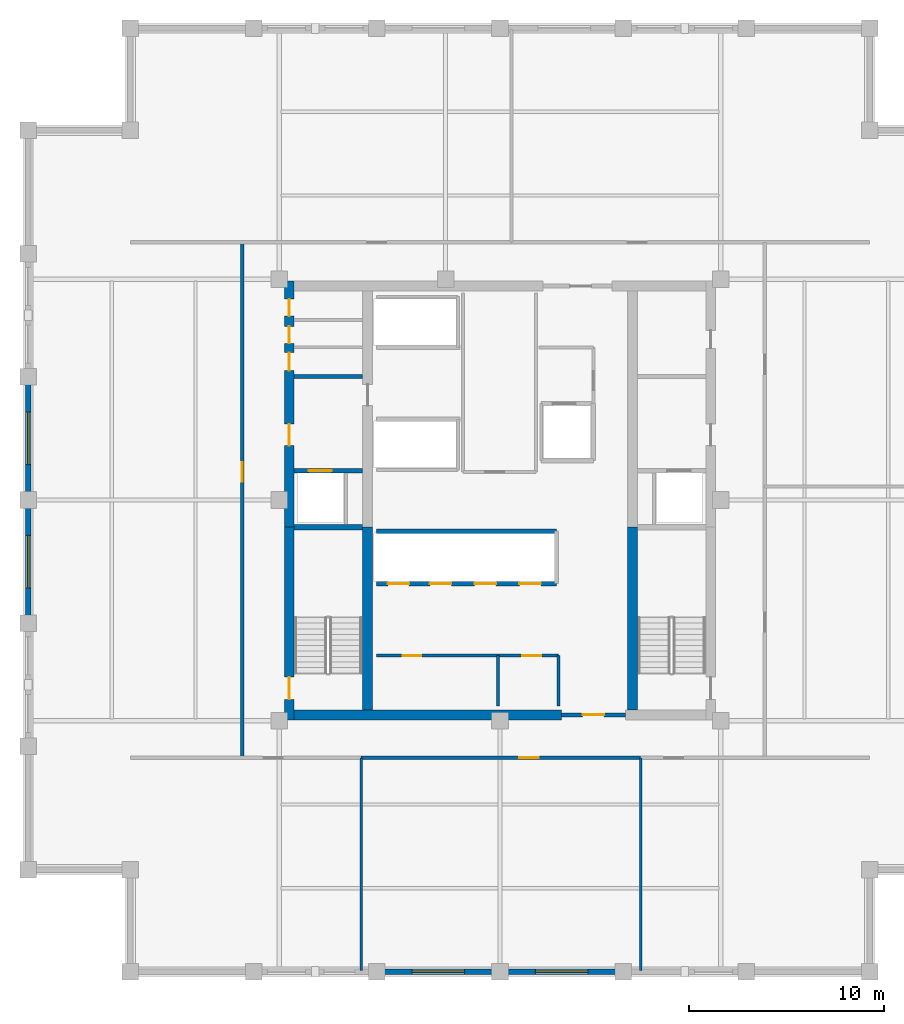
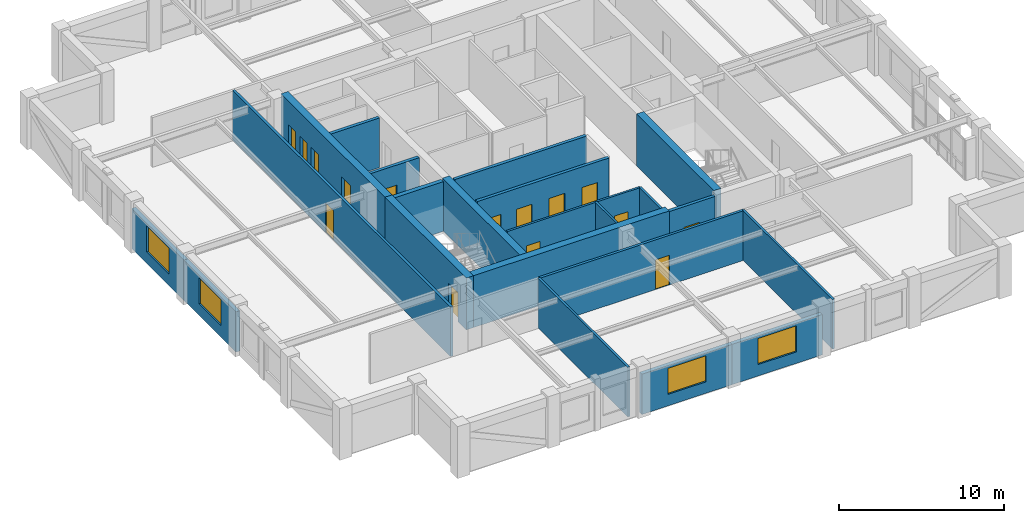
# One storey, part 4 of 8: 22 walls, 15 doors, 4 windows, 19 openings.
"""IFC4 building model written with IfcOpenShell, lengths in metres."""

from ifc_helpers import new_model, si_unit, direction, frame, frame_2d, origin, place, context, subcontext, project, spatial, rectangle, extrude, material, layer, layer_set, type_object, element, fill, save


model = new_model("IFC4")

# Units and contexts
model_context = context("Model", 3, precision=1e-05, world=origin(), true_north=direction((0.0, 1.0)))
body_context = subcontext(model_context, "Body", "Model", "MODEL_VIEW")
ifc_project = project(units=[si_unit("LENGTHUNIT", "METRE"), si_unit("AREAUNIT", "SQUARE_METRE"), si_unit("VOLUMEUNIT", "CUBIC_METRE"), si_unit("PLANEANGLEUNIT", "RADIAN"), si_unit("MASSUNIT", "GRAM", prefix="KILO")], contexts=[model_context])

# Site, building, storey
site_placement = place(None, origin())
site = spatial("IfcSite", under=ifc_project, at=site_placement, CompositionType="ELEMENT")
building_placement = place(site_placement, origin())
building = spatial("IfcBuilding", under=site, at=building_placement, Name="Nhamokura Convention Tower", CompositionType="ELEMENT")
storey_placement = place(building_placement, frame((0.0, 0.0, 240.800048828125)))
storey = spatial("IfcBuildingStorey", under=building, at=storey_placement, Name="L59", CompositionType="ELEMENT", Elevation=240.800048828125)

# Wall, opening, window
ifc_material_1 = material(Name="Bronze-pigmented precast concrete C45/55", Category="concrete")
ifc_layer_1 = layer(ifc_material_1, 0.280029296875)
ifc_layer_set_1 = layer_set([ifc_layer_1], Name="BronzePrecastSpandrel_280")
wall_type_1 = type_object("IfcWallType", Name="BronzePrecastSpandrel_280", PredefinedType="USERDEFINED", material=ifc_layer_set_1)
wall_1_placement = place(storey_placement, frame((32.0, 7.75, 0.0), z_axis=(0.0, 0.0, 1.0), x_axis=(-1.0, 0.0, 0.0)))
wall_1 = element("IfcWall", 1, at=wall_1_placement, inside=storey, type_object=wall_type_1, Name="L59 Masonry-Frame Wall SOUTH 2", ObjectType="SPANDREL_WALL", PredefinedType="USERDEFINED", context=body_context, shape_type="SweptSolid", body=[
    extrude(rectangle(XDim=6.333251953125, YDim=0.280029296875, at=frame_2d((3.16650390625, 0.0))), origin(), (0.0, 0.0, 1.0), 2.98486328125),
])
opening_1_placement = place(wall_1_placement, frame((1.816650390625, 0.0, 0.85009765625)))
opening_1 = element("IfcOpeningElement", 2, at=opening_1_placement, cuts=wall_1, Name="Opening W-07", PredefinedType="OPENING", context=body_context, shape_type="SweptSolid", body=[
    extrude(rectangle(XDim=2.699951171875, YDim=1.93505859375, at=frame_2d((1.35009765625, 0.967529296875))), frame((0.0, 0.14990234375, 0.0), z_axis=(0.0, -1.0, 0.0), x_axis=(1.0, 0.0, 0.0)), (0.0, 0.0, 1.0), 0.300048828125),
])
ifc_material_2 = material(Name="Solar-control bronze low-E double glass", Category="glass")
window_type = type_object("IfcWindowType", Name="OfficeModuleWindow_Z3_2700", PartitioningType="DOUBLE_PANEL_VERTICAL", PredefinedType="WINDOW", material=ifc_material_2)
window_1_placement = place(opening_1_placement, origin())
window_1 = element("IfcWindow", 3, at=window_1_placement, inside=storey, type_object=window_type, Name="L59 Facade Window SOUTH 2", OverallHeight=1.93505859375, OverallWidth=2.699951171875, PartitioningType="SINGLE_PANEL", PredefinedType="WINDOW", context=body_context, shape_type="SweptSolid", body=[
    extrude(rectangle(XDim=2.699951171875, YDim=1.93505859375, at=frame_2d((1.35009765625, 0.967529296875))), frame((0.0, 0.030029296875, 0.0), z_axis=(0.0, -1.0, 0.0), x_axis=(1.0, 0.0, 0.0)), (0.0, 0.0, 1.0), 0.06005859375),
])
fill(opening_1, window_1)

wall_2_placement = place(storey_placement, frame((38.333251953125, 7.75, 0.0), z_axis=(0.0, 0.0, 1.0), x_axis=(-1.0, 0.0, 0.0)))
wall_2 = element("IfcWall", 4, at=wall_2_placement, inside=storey, type_object=wall_type_1, Name="L59 Masonry-Frame Wall SOUTH 3", ObjectType="SPANDREL_WALL", PredefinedType="USERDEFINED", context=body_context, shape_type="SweptSolid", body=[
    extrude(rectangle(XDim=6.333251953125, YDim=0.280029296875, at=frame_2d((3.16650390625, 0.0))), origin(), (0.0, 0.0, 1.0), 2.98486328125),
])
opening_2_placement = place(wall_2_placement, frame((1.816650390625, 0.0, 0.85009765625)))
opening_2 = element("IfcOpeningElement", 5, at=opening_2_placement, cuts=wall_2, Name="Opening W-07", PredefinedType="OPENING", context=body_context, shape_type="SweptSolid", body=[
    extrude(rectangle(XDim=2.699951171875, YDim=1.93505859375, at=frame_2d((1.35009765625, 0.967529296875))), frame((0.0, 0.14990234375, 0.0), z_axis=(0.0, -1.0, 0.0), x_axis=(1.0, 0.0, 0.0)), (0.0, 0.0, 1.0), 0.300048828125),
])
window_2_placement = place(opening_2_placement, origin())
window_2 = element("IfcWindow", 6, at=window_2_placement, inside=storey, type_object=window_type, Name="L59 Facade Window SOUTH 3", OverallHeight=1.93505859375, OverallWidth=2.699951171875, PartitioningType="SINGLE_PANEL", PredefinedType="WINDOW", context=body_context, shape_type="SweptSolid", body=[
    extrude(rectangle(XDim=2.699951171875, YDim=1.93505859375, at=frame_2d((1.35009765625, 0.967529296875))), frame((0.0, 0.030029296875, 0.0), z_axis=(0.0, -1.0, 0.0), x_axis=(1.0, 0.0, 0.0)), (0.0, 0.0, 1.0), 0.06005859375),
])
fill(opening_2, window_2)

wall_3_placement = place(storey_placement, frame((7.75, 25.666748046875, 0.0), z_axis=(0.0, 0.0, 1.0), x_axis=(0.0, 1.0, 0.0)))
wall_3 = element("IfcWall", 7, at=wall_3_placement, inside=storey, type_object=wall_type_1, Name="L59 Masonry-Frame Wall WEST 2", ObjectType="SPANDREL_WALL", PredefinedType="USERDEFINED", context=body_context, shape_type="SweptSolid", body=[
    extrude(rectangle(XDim=6.333251953125, YDim=0.280029296875, at=frame_2d((3.16650390625, 0.0))), origin(), (0.0, 0.0, 1.0), 2.98486328125),
])
opening_3_placement = place(wall_3_placement, frame((1.816650390625, 0.0, 0.85009765625)))
opening_3 = element("IfcOpeningElement", 8, at=opening_3_placement, cuts=wall_3, Name="Opening W-07", PredefinedType="OPENING", context=body_context, shape_type="SweptSolid", body=[
    extrude(rectangle(XDim=2.699951171875, YDim=1.93505859375, at=frame_2d((1.35009765625, 0.967529296875))), frame((0.0, 0.14990234375, 0.0), z_axis=(0.0, -1.0, 0.0), x_axis=(1.0, 0.0, 0.0)), (0.0, 0.0, 1.0), 0.300048828125),
])
window_3_placement = place(opening_3_placement, origin())
window_3 = element("IfcWindow", 9, at=window_3_placement, inside=storey, type_object=window_type, Name="L59 Facade Window WEST 2", OverallHeight=1.93505859375, OverallWidth=2.699951171875, PartitioningType="SINGLE_PANEL", PredefinedType="WINDOW", context=body_context, shape_type="SweptSolid", body=[
    extrude(rectangle(XDim=2.699951171875, YDim=1.93505859375, at=frame_2d((1.35009765625, 0.967529296875))), frame((0.0, 0.030029296875, 0.0), z_axis=(0.0, -1.0, 0.0), x_axis=(1.0, 0.0, 0.0)), (0.0, 0.0, 1.0), 0.06005859375),
])
fill(opening_3, window_3)

wall_4_placement = place(storey_placement, frame((7.75, 32.0, 0.0), z_axis=(0.0, 0.0, 1.0), x_axis=(0.0, 1.0, 0.0)))
wall_4 = element("IfcWall", 10, at=wall_4_placement, inside=storey, type_object=wall_type_1, Name="L59 Masonry-Frame Wall WEST 3", ObjectType="SPANDREL_WALL", PredefinedType="USERDEFINED", context=body_context, shape_type="SweptSolid", body=[
    extrude(rectangle(XDim=6.333251953125, YDim=0.280029296875, at=frame_2d((3.16650390625, 0.0))), origin(), (0.0, 0.0, 1.0), 2.98486328125),
])
opening_4_placement = place(wall_4_placement, frame((1.816650390625, 0.0, 0.85009765625)))
opening_4 = element("IfcOpeningElement", 11, at=opening_4_placement, cuts=wall_4, Name="Opening W-07", PredefinedType="OPENING", context=body_context, shape_type="SweptSolid", body=[
    extrude(rectangle(XDim=2.699951171875, YDim=1.93505859375, at=frame_2d((1.35009765625, 0.967529296875))), frame((0.0, 0.14990234375, 0.0), z_axis=(0.0, -1.0, 0.0), x_axis=(1.0, 0.0, 0.0)), (0.0, 0.0, 1.0), 0.300048828125),
])
window_4_placement = place(opening_4_placement, origin())
window_4 = element("IfcWindow", 12, at=window_4_placement, inside=storey, type_object=window_type, Name="L59 Facade Window WEST 3", OverallHeight=1.93505859375, OverallWidth=2.699951171875, PartitioningType="SINGLE_PANEL", PredefinedType="WINDOW", context=body_context, shape_type="SweptSolid", body=[
    extrude(rectangle(XDim=2.699951171875, YDim=1.93505859375, at=frame_2d((1.35009765625, 0.967529296875))), frame((0.0, 0.030029296875, 0.0), z_axis=(0.0, -1.0, 0.0), x_axis=(1.0, 0.0, 0.0)), (0.0, 0.0, 1.0), 0.06005859375),
])
fill(opening_4, window_4)

# Wall, opening, door
ifc_material_3 = material(Name="Concrete C60/75", Category="concrete")
ifc_layer_2 = layer(ifc_material_3, 0.5)
ifc_layer_set_2 = layer_set([ifc_layer_2], Name="CoreShearWall_500")
wall_type_2 = type_object("IfcWallType", Name="CoreShearWall_500", PredefinedType="SHEAR", material=ifc_layer_set_2)
wall_5_placement = place(storey_placement, frame((21.159912109375, 20.699951171875, 0.0), z_axis=(0.0, 0.0, 1.0), x_axis=(0.0, 1.0, 0.0)))
wall_5 = element("IfcWall", 13, at=wall_5_placement, inside=storey, type_object=wall_type_2, Name="L59 Core Shear Wall CW-WS", PredefinedType="SHEAR", context=body_context, shape_type="SweptSolid", body=[
    extrude(rectangle(XDim=9.900146484375, YDim=0.5, at=frame_2d((4.9501953125, 0.0))), origin(), (0.0, 0.0, 1.0), 3.849853515625),
])
opening_5_placement = place(wall_5_placement, frame((1.050048828125, 0.0, 0.0)))
opening_5 = element("IfcOpeningElement", 14, at=opening_5_placement, cuts=wall_5, Name="Opening D-04", PredefinedType="OPENING", context=body_context, shape_type="SweptSolid", body=[
    extrude(rectangle(XDim=1.14990234375, YDim=2.14990234375, at=frame_2d((0.574951171875, 1.074951171875))), frame((0.0, 0.260009765625, 0.0), z_axis=(0.0, -1.0, 0.0), x_axis=(1.0, 0.0, 0.0)), (0.0, 0.0, 1.0), 0.52001953125),
])
ifc_material_4 = material(Name="Fire-rated steel door", Category="steel")
door_type_1 = type_object("IfcDoorType", Name="StairSmokeDoor_1150", OperationType="NOTDEFINED", PredefinedType="DOOR", material=ifc_material_4)
door_1_placement = place(opening_5_placement, origin())
door_1 = element("IfcDoor", 15, at=door_1_placement, inside=storey, type_object=door_type_1, Name="L59 Core Door INT-L59-D-ST01", OperationType="SINGLE_SWING_LEFT", OverallHeight=2.14990234375, OverallWidth=1.14990234375, PredefinedType="DOOR", context=body_context, shape_type="SweptSolid", body=[
    extrude(rectangle(XDim=1.14990234375, YDim=2.14990234375, at=frame_2d((0.574951171875, 1.074951171875))), frame((0.0, 0.02490234375, 0.0), z_axis=(0.0, -1.0, 0.0), x_axis=(1.0, 0.0, 0.0)), (0.0, 0.0, 1.0), 0.050048828125),
])
fill(opening_5, door_1)

# Wall, openings, doors
wall_6_placement = place(storey_placement, frame((21.159912109375, 30.60009765625, 0.0), z_axis=(0.0, 0.0, 1.0), x_axis=(0.0, 1.0, 0.0)))
wall_6 = element("IfcWall", 16, at=wall_6_placement, inside=storey, type_object=wall_type_2, Name="L59 Core Shear Wall CW-WN", PredefinedType="SHEAR", context=body_context, shape_type="SweptSolid", body=[
    extrude(rectangle(XDim=12.64990234375, YDim=0.5, at=frame_2d((6.324951171875, 0.0))), origin(), (0.0, 0.0, 1.0), 3.849853515625),
])
opening_6_placement = place(wall_6_placement, frame((4.199951171875, 0.0, 0.0)))
opening_6 = element("IfcOpeningElement", 17, at=opening_6_placement, cuts=wall_6, Name="Opening D-05", PredefinedType="OPENING", context=body_context, shape_type="SweptSolid", body=[
    extrude(rectangle(XDim=1.10009765625, YDim=2.14990234375, at=frame_2d((0.550048828125, 1.074951171875))), frame((0.0, 0.260009765625, 0.0), z_axis=(0.0, -1.0, 0.0), x_axis=(1.0, 0.0, 0.0)), (0.0, 0.0, 1.0), 0.52001953125),
])
opening_7_placement = place(wall_6_placement, frame((8.050048828125, 0.0, 0.0)))
opening_7 = element("IfcOpeningElement", 18, at=opening_7_placement, cuts=wall_6, Name="Opening D-10", PredefinedType="OPENING", context=body_context, shape_type="SweptSolid", body=[
    extrude(rectangle(XDim=0.919921875, YDim=2.10009765625, at=frame_2d((0.4599609375, 1.050048828125))), frame((0.0, 0.260009765625, 0.0), z_axis=(0.0, -1.0, 0.0), x_axis=(1.0, 0.0, 0.0)), (0.0, 0.0, 1.0), 0.52001953125),
])
opening_8_placement = place(wall_6_placement, frame((9.449951171875, 0.0, 0.0)))
opening_8 = element("IfcOpeningElement", 19, at=opening_8_placement, cuts=wall_6, Name="Opening D-11", PredefinedType="OPENING", context=body_context, shape_type="SweptSolid", body=[
    extrude(rectangle(XDim=0.8798828125, YDim=2.10009765625, at=frame_2d((0.43994140625, 1.050048828125))), frame((0.0, 0.260009765625, 0.0), z_axis=(0.0, -1.0, 0.0), x_axis=(1.0, 0.0, 0.0)), (0.0, 0.0, 1.0), 0.52001953125),
])
opening_9_placement = place(wall_6_placement, frame((10.85009765625, 0.0, 0.0)))
opening_9 = element("IfcOpeningElement", 20, at=opening_9_placement, cuts=wall_6, Name="Opening D-11", PredefinedType="OPENING", context=body_context, shape_type="SweptSolid", body=[
    extrude(rectangle(XDim=0.8798828125, YDim=2.10009765625, at=frame_2d((0.43994140625, 1.050048828125))), frame((0.0, 0.260009765625, 0.0), z_axis=(0.0, -1.0, 0.0), x_axis=(1.0, 0.0, 0.0)), (0.0, 0.0, 1.0), 0.52001953125),
])
ifc_material_5 = material(Name="Solid oak hardwood", Category="wood")
door_type_2 = type_object("IfcDoorType", Name="AccessibleWCDoor_920", OperationType="NOTDEFINED", PredefinedType="DOOR", material=ifc_material_5)
door_2_placement = place(opening_7_placement, origin())
door_2 = element("IfcDoor", 21, at=door_2_placement, inside=storey, type_object=door_type_2, Name="L59 Core Door INT-L59-D-AWC", OperationType="SINGLE_SWING_LEFT", OverallHeight=2.10009765625, OverallWidth=0.919921875, PredefinedType="DOOR", context=body_context, shape_type="SweptSolid", body=[
    extrude(rectangle(XDim=0.919921875, YDim=2.10009765625, at=frame_2d((0.4599609375, 1.050048828125))), frame((0.0, 0.02490234375, 0.0), z_axis=(0.0, -1.0, 0.0), x_axis=(1.0, 0.0, 0.0)), (0.0, 0.0, 1.0), 0.050048828125),
])
fill(opening_7, door_2)
ifc_material_6 = material(Name="Solid oak hardwood", Category="wood")
door_type_3 = type_object("IfcDoorType", Name="BathroomDoor_880", OperationType="NOTDEFINED", PredefinedType="DOOR", material=ifc_material_6)
door_3_placement = place(opening_8_placement, origin())
door_3 = element("IfcDoor", 22, at=door_3_placement, inside=storey, type_object=door_type_3, Name="L59 Core Door INT-L59-D-CLN", OperationType="SINGLE_SWING_RIGHT", OverallHeight=2.10009765625, OverallWidth=0.8798828125, PredefinedType="DOOR", context=body_context, shape_type="SweptSolid", body=[
    extrude(rectangle(XDim=0.8798828125, YDim=2.10009765625, at=frame_2d((0.43994140625, 1.050048828125))), frame((0.0, 0.02490234375, 0.0), z_axis=(0.0, -1.0, 0.0), x_axis=(1.0, 0.0, 0.0)), (0.0, 0.0, 1.0), 0.050048828125),
])
fill(opening_8, door_3)
door_4_placement = place(opening_9_placement, origin())
door_4 = element("IfcDoor", 23, at=door_4_placement, inside=storey, type_object=door_type_3, Name="L59 Core Door INT-L59-D-PNT", OperationType="SINGLE_SWING_LEFT", OverallHeight=2.10009765625, OverallWidth=0.8798828125, PredefinedType="DOOR", context=body_context, shape_type="SweptSolid", body=[
    extrude(rectangle(XDim=0.8798828125, YDim=2.10009765625, at=frame_2d((0.43994140625, 1.050048828125))), frame((0.0, 0.02490234375, 0.0), z_axis=(0.0, -1.0, 0.0), x_axis=(1.0, 0.0, 0.0)), (0.0, 0.0, 1.0), 0.050048828125),
])
fill(opening_9, door_4)
ifc_material_7 = material(Name="Fire-rated steel door", Category="steel")
door_type_4 = type_object("IfcDoorType", Name="FireLobbyDoor_1100", OperationType="NOTDEFINED", PredefinedType="DOOR", material=ifc_material_7)
door_5_placement = place(opening_6_placement, origin())
door_5 = element("IfcDoor", 24, at=door_5_placement, inside=storey, type_object=door_type_4, Name="L59 Core Door INT-L59-D-FFLW", OperationType="SINGLE_SWING_RIGHT", OverallHeight=2.14990234375, OverallWidth=1.10009765625, PredefinedType="DOOR", context=body_context, shape_type="SweptSolid", body=[
    extrude(rectangle(XDim=1.10009765625, YDim=2.14990234375, at=frame_2d((0.550048828125, 1.074951171875))), frame((0.0, 0.02490234375, 0.0), z_axis=(0.0, -1.0, 0.0), x_axis=(1.0, 0.0, 0.0)), (0.0, 0.0, 1.0), 0.050048828125),
])
fill(opening_6, door_5)

# Walls
wall_7_placement = place(storey_placement, frame((21.409912109375, 20.949951171875, 0.0), z_axis=(0.0, 0.0, 1.0), x_axis=(1.0, 0.0, 0.0)))
element("IfcWall", 25, at=wall_7_placement, inside=storey, type_object=wall_type_2, Name="L59 Core Shear Wall CW-S1", PredefinedType="SHEAR", context=body_context, shape_type="SweptSolid", body=[
    extrude(rectangle(XDim=13.739990234375, YDim=0.5, at=frame_2d((6.8701171875, 0.0))), origin(), (0.0, 0.0, 1.0), 3.849853515625),
])
for number, where, z_axis, x_axis, name in (
    (26, (25.18994140625, 21.199951171875, 0.0), (0.0, 0.0, 1.0), (0.0, 1.0, 0.0), "L59 Core Shear Wall CW-IWS"),
    (27, (38.81005859375, 21.199951171875, 0.0), (0.0, 0.0, 1.0), (0.0, 1.0, 0.0), "L59 Core Shear Wall CW-IES"),
):
    element("IfcWall", number, at=place(storey_placement, frame(where, z_axis=z_axis, x_axis=x_axis)), inside=storey, type_object=wall_type_2, Name=name, PredefinedType="SHEAR", context=body_context, shape_type="SweptSolid", body=[
        extrude(rectangle(XDim=9.400146484375, YDim=0.5, at=frame_2d((4.7001953125, 0.0))), origin(), (0.0, 0.0, 1.0), 3.849853515625),
    ])

# Wall, opening, door
ifc_material_8 = material(Name="Fire-rated gypsum and masonry partition", Category="masonry")
ifc_layer_3 = layer(ifc_material_8, 0.179931640625)
ifc_layer_set_3 = layer_set([ifc_layer_3], Name="CorridorRatedWall_180")
wall_type_3 = type_object("IfcWallType", Name="CorridorRatedWall_180", PredefinedType="STANDARD", material=ifc_layer_set_3)
wall_8_placement = place(storey_placement, frame((24.86669921875, 18.75, 0.0), z_axis=(0.0, 0.0, 1.0), x_axis=(1.0, 0.0, 0.0)))
wall_8 = element("IfcWall", 28, at=wall_8_placement, inside=storey, type_object=wall_type_3, Name="L59 Wall INT-L59-CW-S01", PredefinedType="STANDARD", context=body_context, shape_type="SweptSolid", body=[
    extrude(rectangle(XDim=14.36669921875, YDim=0.179931640625, at=frame_2d((7.183349609375, 0.0))), origin(), (0.0, 0.0, 1.0), 3.68505859375),
])
opening_10_placement = place(wall_8_placement, frame((8.13330078125, 0.0, 0.0)))
opening_10 = element("IfcOpeningElement", 29, at=opening_10_placement, cuts=wall_8, Name="Opening D-08", PredefinedType="OPENING", context=body_context, shape_type="SweptSolid", body=[
    extrude(rectangle(XDim=0.97998046875, YDim=2.199951171875, at=frame_2d((0.489990234375, 1.10009765625))), frame((0.0, 0.099853515625, 0.0), z_axis=(0.0, -1.0, 0.0), x_axis=(1.0, 0.0, 0.0)), (0.0, 0.0, 1.0), 0.199951171875),
])
ifc_material_9 = material(Name="Solid oak hardwood", Category="wood")
door_type_5 = type_object("IfcDoorType", Name="OfficeEntryDoor_980", OperationType="NOTDEFINED", PredefinedType="DOOR", material=ifc_material_9)
door_6_placement = place(opening_10_placement, origin())
door_6 = element("IfcDoor", 30, at=door_6_placement, inside=storey, type_object=door_type_5, Name="L59 Pre-Function Lounge S02 Door", OperationType="SINGLE_SWING_RIGHT", OverallHeight=2.199951171875, OverallWidth=0.97998046875, PredefinedType="DOOR", context=body_context, shape_type="SweptSolid", body=[
    extrude(rectangle(XDim=0.97998046875, YDim=2.199951171875, at=frame_2d((0.489990234375, 1.10009765625))), frame((0.0, 0.02490234375, 0.0), z_axis=(0.0, -1.0, 0.0), x_axis=(1.0, 0.0, 0.0)), (0.0, 0.0, 1.0), 0.050048828125),
])
fill(opening_10, door_6)

wall_9_placement = place(storey_placement, frame((18.75, 18.75, 0.0), z_axis=(0.0, 0.0, 1.0), x_axis=(0.0, 1.0, 0.0)))
wall_9 = element("IfcWall", 31, at=wall_9_placement, inside=storey, type_object=wall_type_3, Name="L59 Wall INT-L59-CW-W00", PredefinedType="STANDARD", context=body_context, shape_type="SweptSolid", body=[
    extrude(rectangle(XDim=26.5, YDim=0.179931640625, at=frame_2d((13.25, 0.0))), origin(), (0.0, 0.0, 1.0), 3.68505859375),
])
opening_11_placement = place(wall_9_placement, frame((14.199951171875, 0.0, 0.0)))
opening_11 = element("IfcOpeningElement", 32, at=opening_11_placement, cuts=wall_9, Name="Opening D-08", PredefinedType="OPENING", context=body_context, shape_type="SweptSolid", body=[
    extrude(rectangle(XDim=0.97998046875, YDim=2.199951171875, at=frame_2d((0.489990234375, 1.10009765625))), frame((0.0, 0.099853515625, 0.0), z_axis=(0.0, -1.0, 0.0), x_axis=(1.0, 0.0, 0.0)), (0.0, 0.0, 1.0), 0.199951171875),
])
door_7_placement = place(opening_11_placement, origin())
door_7 = element("IfcDoor", 33, at=door_7_placement, inside=storey, type_object=door_type_5, Name="L59 Meeting Room W01 Door", OperationType="SINGLE_SWING_LEFT", OverallHeight=2.199951171875, OverallWidth=0.97998046875, PredefinedType="DOOR", context=body_context, shape_type="SweptSolid", body=[
    extrude(rectangle(XDim=0.97998046875, YDim=2.199951171875, at=frame_2d((0.489990234375, 1.10009765625))), frame((0.0, 0.02490234375, 0.0), z_axis=(0.0, -1.0, 0.0), x_axis=(1.0, 0.0, 0.0)), (0.0, 0.0, 1.0), 0.050048828125),
])
fill(opening_11, door_7)

ifc_material_10 = material(Name="Autoclaved concrete blockwork", Category="masonry")
ifc_layer_4 = layer(ifc_material_10, 0.219970703125)
ifc_layer_set_4 = layer_set([ifc_layer_4], Name="FireLobbyWall_220")
wall_type_4 = type_object("IfcWallType", Name="FireLobbyWall_220", PredefinedType="STANDARD", material=ifc_layer_set_4)
wall_10_placement = place(storey_placement, frame((21.409912109375, 33.5, 0.0), z_axis=(0.0, 0.0, 1.0), x_axis=(1.0, 0.0, 0.0)))
wall_10 = element("IfcWall", 34, at=wall_10_placement, inside=storey, type_object=wall_type_4, Name="L59 Wall INT-L59-FFW-S", PredefinedType="STANDARD", context=body_context, shape_type="SweptSolid", body=[
    extrude(rectangle(XDim=3.530029296875, YDim=0.219970703125, at=frame_2d((1.76513671875, 0.0))), origin(), (0.0, 0.0, 1.0), 3.68505859375),
])
opening_12_placement = place(wall_10_placement, frame((0.75, 0.0, 0.0)))
opening_12 = element("IfcOpeningElement", 35, at=opening_12_placement, cuts=wall_10, Name="Opening LD-02", PredefinedType="OPENING", context=body_context, shape_type="SweptSolid", body=[
    extrude(rectangle(XDim=1.199951171875, YDim=2.199951171875, at=frame_2d((0.60009765625, 1.10009765625))), frame((0.0, 0.119873046875, 0.0), z_axis=(0.0, -1.0, 0.0), x_axis=(1.0, 0.0, 0.0)), (0.0, 0.0, 1.0), 0.239990234375),
])
ifc_material_11 = material(Name="Anodised bronze stainless steel", Category="steel")
door_type_6 = type_object("IfcDoorType", Name="LiftLandingDoor_FireService", OperationType="DOUBLE_DOOR_SLIDING", PredefinedType="DOOR", material=ifc_material_11)
door_8_placement = place(opening_12_placement, origin())
door_8 = element("IfcDoor", 36, at=door_8_placement, inside=storey, type_object=door_type_6, Name="L59 Firefighting Lift LF-01 Door", OperationType="DOUBLE_DOOR_SLIDING", OverallHeight=2.199951171875, OverallWidth=1.199951171875, PredefinedType="DOOR", context=body_context, shape_type="SweptSolid", body=[
    extrude(rectangle(XDim=1.199951171875, YDim=2.199951171875, at=frame_2d((0.60009765625, 1.10009765625))), frame((0.0, 0.02490234375, 0.0), z_axis=(0.0, -1.0, 0.0), x_axis=(1.0, 0.0, 0.0)), (0.0, 0.0, 1.0), 0.050048828125),
])
fill(opening_12, door_8)

# Wall
wall_11_placement = place(storey_placement, frame((21.409912109375, 38.35009765625, 0.0), z_axis=(0.0, 0.0, 1.0), x_axis=(1.0, 0.0, 0.0)))
element("IfcWall", 37, at=wall_11_placement, inside=storey, type_object=wall_type_4, Name="L59 Wall INT-L59-FFW-N", PredefinedType="STANDARD", context=body_context, shape_type="SweptSolid", body=[
    extrude(rectangle(XDim=3.530029296875, YDim=0.219970703125, at=frame_2d((1.76513671875, 0.0))), origin(), (0.0, 0.0, 1.0), 3.68505859375),
])

# Wall, opening, door
wall_12_placement = place(storey_placement, frame((35.14990234375, 20.949951171875, 0.0), z_axis=(0.0, 0.0, 1.0), x_axis=(1.0, 0.0, 0.0)))
wall_12 = element("IfcWall", 38, at=wall_12_placement, inside=storey, type_object=wall_type_4, Name="L59 Wall INT-L59-SPORT-S", PredefinedType="STANDARD", context=body_context, shape_type="SweptSolid", body=[
    extrude(rectangle(XDim=3.300048828125, YDim=0.219970703125, at=frame_2d((1.64990234375, 0.0))), origin(), (0.0, 0.0, 1.0), 3.68505859375),
])
opening_13_placement = place(wall_12_placement, frame((1.10009765625, 0.0, 0.0)))
opening_13 = element("IfcOpeningElement", 39, at=opening_13_placement, cuts=wall_12, Name="Opening D-05", PredefinedType="OPENING", context=body_context, shape_type="SweptSolid", body=[
    extrude(rectangle(XDim=1.10009765625, YDim=2.14990234375, at=frame_2d((0.550048828125, 1.074951171875))), frame((0.0, 0.119873046875, 0.0), z_axis=(0.0, -1.0, 0.0), x_axis=(1.0, 0.0, 0.0)), (0.0, 0.0, 1.0), 0.239990234375),
])
door_9_placement = place(opening_13_placement, origin())
door_9 = element("IfcDoor", 40, at=door_9_placement, inside=storey, type_object=door_type_4, Name="L59 South Core Lobby Portal Door", OperationType="SINGLE_SWING_LEFT", OverallHeight=2.14990234375, OverallWidth=1.10009765625, PredefinedType="DOOR", context=body_context, shape_type="SweptSolid", body=[
    extrude(rectangle(XDim=1.10009765625, YDim=2.14990234375, at=frame_2d((0.550048828125, 1.074951171875))), frame((0.0, 0.02490234375, 0.0), z_axis=(0.0, -1.0, 0.0), x_axis=(1.0, 0.0, 0.0)), (0.0, 0.0, 1.0), 0.050048828125),
])
fill(opening_13, door_9)

# Wall, openings, doors
wall_13_placement = place(storey_placement, frame((25.64990234375, 27.699951171875, 0.0), z_axis=(0.0, 0.0, 1.0), x_axis=(1.0, 0.0, 0.0)))
wall_13 = element("IfcWall", 41, at=wall_13_placement, inside=storey, type_object=wall_type_4, Name="L59 Wall INT-L59-B2S", PredefinedType="STANDARD", context=body_context, shape_type="SweptSolid", body=[
    extrude(rectangle(XDim=9.25, YDim=0.219970703125, at=frame_2d((4.625, 0.0))), origin(), (0.0, 0.0, 1.0), 3.68505859375),
])
opening_14_placement = place(wall_13_placement, frame((0.580078125, 0.0, 0.0)))
opening_14 = element("IfcOpeningElement", 42, at=opening_14_placement, cuts=wall_13, Name="Opening LD-01", PredefinedType="OPENING", context=body_context, shape_type="SweptSolid", body=[
    extrude(rectangle(XDim=1.10009765625, YDim=2.14990234375, at=frame_2d((0.550048828125, 1.074951171875))), frame((0.0, 0.119873046875, 0.0), z_axis=(0.0, -1.0, 0.0), x_axis=(1.0, 0.0, 0.0)), (0.0, 0.0, 1.0), 0.239990234375),
])
opening_15_placement = place(wall_13_placement, frame((2.75, 0.0, 0.0)))
opening_15 = element("IfcOpeningElement", 43, at=opening_15_placement, cuts=wall_13, Name="Opening LD-01", PredefinedType="OPENING", context=body_context, shape_type="SweptSolid", body=[
    extrude(rectangle(XDim=1.10009765625, YDim=2.14990234375, at=frame_2d((0.550048828125, 1.074951171875))), frame((0.0, 0.119873046875, 0.0), z_axis=(0.0, -1.0, 0.0), x_axis=(1.0, 0.0, 0.0)), (0.0, 0.0, 1.0), 0.239990234375),
])
opening_16_placement = place(wall_13_placement, frame((5.050048828125, 0.0, 0.0)))
opening_16 = element("IfcOpeningElement", 44, at=opening_16_placement, cuts=wall_13, Name="Opening LD-01", PredefinedType="OPENING", context=body_context, shape_type="SweptSolid", body=[
    extrude(rectangle(XDim=1.10009765625, YDim=2.14990234375, at=frame_2d((0.550048828125, 1.074951171875))), frame((0.0, 0.119873046875, 0.0), z_axis=(0.0, -1.0, 0.0), x_axis=(1.0, 0.0, 0.0)), (0.0, 0.0, 1.0), 0.239990234375),
])
opening_17_placement = place(wall_13_placement, frame((7.35009765625, 0.0, 0.0)))
opening_17 = element("IfcOpeningElement", 45, at=opening_17_placement, cuts=wall_13, Name="Opening LD-01", PredefinedType="OPENING", context=body_context, shape_type="SweptSolid", body=[
    extrude(rectangle(XDim=1.10009765625, YDim=2.14990234375, at=frame_2d((0.550048828125, 1.074951171875))), frame((0.0, 0.119873046875, 0.0), z_axis=(0.0, -1.0, 0.0), x_axis=(1.0, 0.0, 0.0)), (0.0, 0.0, 1.0), 0.239990234375),
])
ifc_material_12 = material(Name="Anodised bronze stainless steel", Category="steel")
door_type_7 = type_object("IfcDoorType", Name="LiftLandingDoor_Passenger", OperationType="DOUBLE_DOOR_SLIDING", PredefinedType="DOOR", material=ifc_material_12)
door_10_placement = place(opening_14_placement, origin())
door_10 = element("IfcDoor", 46, at=door_10_placement, inside=storey, type_object=door_type_7, Name="L59 Lift LP-05 Landing Door", OperationType="DOUBLE_DOOR_SLIDING", OverallHeight=2.14990234375, OverallWidth=1.10009765625, PredefinedType="DOOR", context=body_context, shape_type="SweptSolid", body=[
    extrude(rectangle(XDim=1.10009765625, YDim=2.14990234375, at=frame_2d((0.550048828125, 1.074951171875))), frame((0.0, 0.02490234375, 0.0), z_axis=(0.0, -1.0, 0.0), x_axis=(1.0, 0.0, 0.0)), (0.0, 0.0, 1.0), 0.050048828125),
])
fill(opening_14, door_10)
door_11_placement = place(opening_15_placement, origin())
door_11 = element("IfcDoor", 47, at=door_11_placement, inside=storey, type_object=door_type_7, Name="L59 Lift LP-06 Landing Door", OperationType="DOUBLE_DOOR_SLIDING", OverallHeight=2.14990234375, OverallWidth=1.10009765625, PredefinedType="DOOR", context=body_context, shape_type="SweptSolid", body=[
    extrude(rectangle(XDim=1.10009765625, YDim=2.14990234375, at=frame_2d((0.550048828125, 1.074951171875))), frame((0.0, 0.02490234375, 0.0), z_axis=(0.0, -1.0, 0.0), x_axis=(1.0, 0.0, 0.0)), (0.0, 0.0, 1.0), 0.050048828125),
])
fill(opening_15, door_11)
door_12_placement = place(opening_16_placement, origin())
door_12 = element("IfcDoor", 48, at=door_12_placement, inside=storey, type_object=door_type_7, Name="L59 Lift LP-07 Landing Door", OperationType="DOUBLE_DOOR_SLIDING", OverallHeight=2.14990234375, OverallWidth=1.10009765625, PredefinedType="DOOR", context=body_context, shape_type="SweptSolid", body=[
    extrude(rectangle(XDim=1.10009765625, YDim=2.14990234375, at=frame_2d((0.550048828125, 1.074951171875))), frame((0.0, 0.02490234375, 0.0), z_axis=(0.0, -1.0, 0.0), x_axis=(1.0, 0.0, 0.0)), (0.0, 0.0, 1.0), 0.050048828125),
])
fill(opening_16, door_12)
door_13_placement = place(opening_17_placement, origin())
door_13 = element("IfcDoor", 49, at=door_13_placement, inside=storey, type_object=door_type_7, Name="L59 Lift LP-08 Landing Door", OperationType="DOUBLE_DOOR_SLIDING", OverallHeight=2.14990234375, OverallWidth=1.10009765625, PredefinedType="DOOR", context=body_context, shape_type="SweptSolid", body=[
    extrude(rectangle(XDim=1.10009765625, YDim=2.14990234375, at=frame_2d((0.550048828125, 1.074951171875))), frame((0.0, 0.02490234375, 0.0), z_axis=(0.0, -1.0, 0.0), x_axis=(1.0, 0.0, 0.0)), (0.0, 0.0, 1.0), 0.050048828125),
])
fill(opening_17, door_13)

# Wall
wall_14_placement = place(storey_placement, frame((25.64990234375, 30.39990234375, 0.0), z_axis=(0.0, 0.0, 1.0), x_axis=(1.0, 0.0, 0.0)))
element("IfcWall", 50, at=wall_14_placement, inside=storey, type_object=wall_type_4, Name="L59 Wall INT-L59-B2N", PredefinedType="STANDARD", context=body_context, shape_type="SweptSolid", body=[
    extrude(rectangle(XDim=9.25, YDim=0.219970703125, at=frame_2d((4.625, 0.0))), origin(), (0.0, 0.0, 1.0), 3.68505859375),
])

# Wall, openings, doors
ifc_material_13 = material(Name="Acoustic gypsum stud partition", Category="masonry")
ifc_layer_5 = layer(ifc_material_13, 0.14990234375)
ifc_layer_set_5 = layer_set([ifc_layer_5], Name="InteriorPartition_150")
wall_type_5 = type_object("IfcWallType", Name="InteriorPartition_150", PredefinedType="STANDARD", material=ifc_layer_set_5)
wall_15_placement = place(storey_placement, frame((25.64990234375, 24.0, 0.0), z_axis=(0.0, 0.0, 1.0), x_axis=(1.0, 0.0, 0.0)))
wall_15 = element("IfcWall", 51, at=wall_15_placement, inside=storey, type_object=wall_type_5, Name="L59 Wall INT-L59-B1R-N", PredefinedType="STANDARD", context=body_context, shape_type="SweptSolid", body=[
    extrude(rectangle(XDim=9.35009765625, YDim=0.14990234375, at=frame_2d((4.675048828125, 0.0))), origin(), (0.0, 0.0, 1.0), 3.68505859375),
])
opening_18_placement = place(wall_15_placement, frame((1.35009765625, 0.0, 0.0)))
opening_18 = element("IfcOpeningElement", 52, at=opening_18_placement, cuts=wall_15, Name="Opening D-09", PredefinedType="OPENING", context=body_context, shape_type="SweptSolid", body=[
    extrude(rectangle(XDim=0.949951171875, YDim=2.14990234375, at=frame_2d((0.47509765625, 1.074951171875))), frame((0.0, 0.0849609375, 0.0), z_axis=(0.0, -1.0, 0.0), x_axis=(1.0, 0.0, 0.0)), (0.0, 0.0, 1.0), 0.169921875),
])
opening_19_placement = place(wall_15_placement, frame((7.5, 0.0, 0.0)))
opening_19 = element("IfcOpeningElement", 53, at=opening_19_placement, cuts=wall_15, Name="Opening D-08", PredefinedType="OPENING", context=body_context, shape_type="SweptSolid", body=[
    extrude(rectangle(XDim=0.97998046875, YDim=2.199951171875, at=frame_2d((0.489990234375, 1.10009765625))), frame((0.0, 0.0849609375, 0.0), z_axis=(0.0, -1.0, 0.0), x_axis=(1.0, 0.0, 0.0)), (0.0, 0.0, 1.0), 0.169921875),
])
ifc_material_14 = material(Name="Solid oak hardwood", Category="wood")
door_type_8 = type_object("IfcDoorType", Name="MeetingRoomDoor_950", OperationType="NOTDEFINED", PredefinedType="DOOR", material=ifc_material_14)
door_14_placement = place(opening_18_placement, origin())
door_14 = element("IfcDoor", 54, at=door_14_placement, inside=storey, type_object=door_type_8, Name="L59 Reclaimed Briefing Room Door", OperationType="SINGLE_SWING_RIGHT", OverallHeight=2.14990234375, OverallWidth=0.949951171875, PredefinedType="DOOR", context=body_context, shape_type="SweptSolid", body=[
    extrude(rectangle(XDim=0.949951171875, YDim=2.14990234375, at=frame_2d((0.47509765625, 1.074951171875))), frame((0.0, 0.02490234375, 0.0), z_axis=(0.0, -1.0, 0.0), x_axis=(1.0, 0.0, 0.0)), (0.0, 0.0, 1.0), 0.050048828125),
])
fill(opening_18, door_14)
door_15_placement = place(opening_19_placement, origin())
door_15 = element("IfcDoor", 55, at=door_15_placement, inside=storey, type_object=door_type_5, Name="L59 Reclaimed Hub Door", OperationType="SINGLE_SWING_LEFT", OverallHeight=2.199951171875, OverallWidth=0.97998046875, PredefinedType="DOOR", context=body_context, shape_type="SweptSolid", body=[
    extrude(rectangle(XDim=0.97998046875, YDim=2.199951171875, at=frame_2d((0.489990234375, 1.10009765625))), frame((0.0, 0.02490234375, 0.0), z_axis=(0.0, -1.0, 0.0), x_axis=(1.0, 0.0, 0.0)), (0.0, 0.0, 1.0), 0.050048828125),
])
fill(opening_19, door_15)

# Walls
for number, where, z_axis, x_axis, name in (
    (56, (31.89990234375, 21.39990234375, 0.0), (0.0, 0.0, 1.0), (0.0, 1.0, 0.0), "L59 Wall INT-L59-B1R-M"),
    (57, (35.0, 21.39990234375, 0.0), (0.0, 0.0, 1.0), (0.0, 1.0, 0.0), "L59 Wall INT-L59-B1R-E"),
):
    element("IfcWall", number, at=place(storey_placement, frame(where, z_axis=z_axis, x_axis=x_axis)), inside=storey, type_object=wall_type_5, Name=name, PredefinedType="STANDARD", context=body_context, shape_type="SweptSolid", body=[
        extrude(rectangle(XDim=2.60009765625, YDim=0.14990234375, at=frame_2d((1.300048828125, 0.0))), origin(), (0.0, 0.0, 1.0), 3.68505859375),
    ])
for number, where, z_axis, x_axis, name in (
    (58, (24.86669921875, 7.81005859375, 0.0), (0.0, 0.0, 1.0), (0.0, 1.0, 0.0), "L59 Wall INT-L59-RW-S01"),
    (59, (39.2333984375, 7.81005859375, 0.0), (0.0, 0.0, 1.0), (0.0, 1.0, 0.0), "L59 Wall INT-L59-RW-S02"),
):
    element("IfcWall", number, at=place(storey_placement, frame(where, z_axis=z_axis, x_axis=x_axis)), inside=storey, type_object=wall_type_5, Name=name, PredefinedType="STANDARD", context=body_context, shape_type="SweptSolid", body=[
        extrude(rectangle(XDim=10.93994140625, YDim=0.14990234375, at=frame_2d((5.469970703125, 0.0))), origin(), (0.0, 0.0, 1.0), 3.68505859375),
    ])
ifc_material_15 = material(Name="Concrete C50/60", Category="concrete")
ifc_layer_6 = layer(ifc_material_15, 0.300048828125)
ifc_layer_set_6 = layer_set([ifc_layer_6], Name="ShaftEnclosureWall_300")
wall_type_6 = type_object("IfcWallType", Name="ShaftEnclosureWall_300", PredefinedType="SHEAR", material=ifc_layer_set_6)
wall_16_placement = place(storey_placement, frame((21.409912109375, 30.60009765625, 0.0), z_axis=(0.0, 0.0, 1.0), x_axis=(1.0, 0.0, 0.0)))
element("IfcWall", 60, at=wall_16_placement, inside=storey, type_object=wall_type_6, Name="L59 Wall INT-L59-ST01-N", PredefinedType="SHEAR", context=body_context, shape_type="SweptSolid", body=[
    extrude(rectangle(XDim=3.530029296875, YDim=0.300048828125, at=frame_2d((1.76513671875, 0.0))), origin(), (0.0, 0.0, 1.0), 3.68505859375),
])

save(model, "model.ifc")
